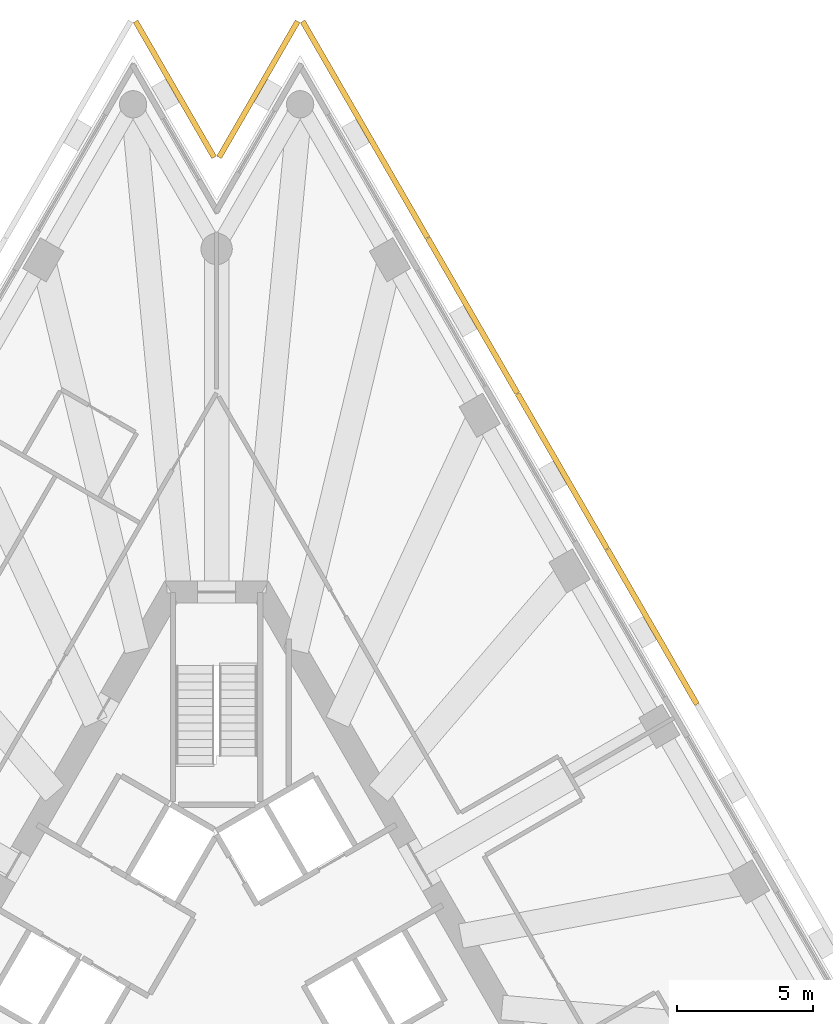
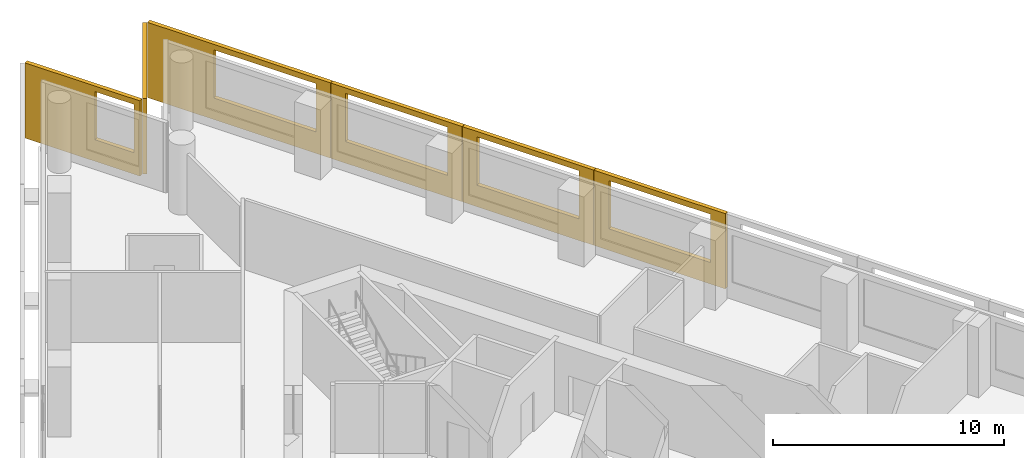
# One storey, part 10 of 10: 6 shading devices.
"""IFC4 building model written with IfcOpenShell, lengths in metres."""

from ifc_helpers import new_model, si_unit, direction, frame, origin, place, context, subcontext, project, spatial, polyline, outline, extrude, material, layer, layer_set, type_object, element, save


model = new_model("IFC4")

# Units and contexts
model_context = context("Model", 3, precision=1e-05, world=origin(), true_north=direction((0.0, 1.0)))
body_context = subcontext(model_context, "Body", "Model", "MODEL_VIEW")
ifc_project = project(units=[si_unit("LENGTHUNIT", "METRE"), si_unit("AREAUNIT", "SQUARE_METRE"), si_unit("VOLUMEUNIT", "CUBIC_METRE"), si_unit("PLANEANGLEUNIT", "RADIAN"), si_unit("MASSUNIT", "GRAM", prefix="KILO")], contexts=[model_context])

# Site, building, storey
site_placement = place(None, origin())
site = spatial("IfcSite", under=ifc_project, at=site_placement, CompositionType="ELEMENT")
building_placement = place(site_placement, origin())
building = spatial("IfcBuilding", under=site, at=building_placement, Name="Triada Interchange Tower", CompositionType="ELEMENT")
storey_placement = place(building_placement, frame((0.0, 0.0, 160.300048828125)))
storey = spatial("IfcBuildingStorey", under=building, at=storey_placement, Name="L37", CompositionType="ELEMENT", Elevation=160.300048828125)

# Shading devices
ifc_material = material(Name="Concrete C50/60 precast", Category="concrete")
ifc_layer_1 = layer(ifc_material, 0.02001953125, Name="Exposed aggregate face")
ifc_layer_2 = layer(ifc_material, 0.179931640625, Name="Precast concrete screen")
ifc_layer_set = layer_set([ifc_layer_1, ifc_layer_2], Name="Outer skin screen panel 3980")
shading_device_type = type_object("IfcShadingDeviceType", Name="Outer skin screen panel 3980", PredefinedType="SHUTTER", material=ifc_layer_set)
shading_device_1_placement = place(storey_placement, frame((17.529052734375, 10.132080078125, -0.2900390625), z_axis=(0.0, 0.0, 1.0), x_axis=(-0.500014285048, 0.866017156151, 0.0)))
element("IfcShadingDevice", 1, at=shading_device_1_placement, inside=storey, type_object=shading_device_type, Name="Outer skin screen panel L37 25", PredefinedType="SHUTTER", context=body_context, shape_type="SweptSolid", body=[
    extrude(outline(polyline([(0.0, 0.0), (6.565673828125, 0.0), (6.565673828125, 3.97998046875), (0.0, 3.97998046875), (0.0, 0.0)]), holes=[polyline([(0.733154296875, 1.139892578125), (0.733154296875, 3.68994140625), (5.8330078125, 3.68994140625), (5.8330078125, 1.139892578125), (0.733154296875, 1.139892578125)])]), frame((0.0, 0.0, 0.0), z_axis=(0.0, -1.0, 0.0), x_axis=(1.0, 0.0, 0.0)), (0.0, 0.0, 1.0), 0.199951171875),
])
for number, where, z_axis, x_axis, name in (
    (2, (14.236083984375, 15.8349609375, -0.2900390625), (0.0, 0.0, 1.0), (-0.499977771575, 0.866038236991, 0.0), "Outer skin screen panel L37 26"),
    (3, (10.943115234375, 21.5390625, -0.2900390625), (0.0, 0.0, 1.0), (-0.499977771575, 0.866038236991, 0.0), "Outer skin screen panel L37 27"),
):
    element("IfcShadingDevice", number, at=place(storey_placement, frame(where, z_axis=z_axis, x_axis=x_axis)), inside=storey, type_object=shading_device_type, Name=name, PredefinedType="SHUTTER", context=body_context, shape_type="SweptSolid", body=[
        extrude(outline(polyline([(0.0, 0.0), (6.566650390625, 0.0), (6.566650390625, 3.97998046875), (0.0, 3.97998046875), (0.0, 0.0)]), holes=[polyline([(0.733154296875, 1.139892578125), (0.733154296875, 3.68994140625), (5.8330078125, 3.68994140625), (5.8330078125, 1.139892578125), (0.733154296875, 1.139892578125)])]), frame((0.0, 0.0, 0.0), z_axis=(0.0, -1.0, 0.0), x_axis=(1.0, 0.0, 0.0)), (0.0, 0.0, 1.0), 0.199951171875),
    ])
shading_device_2_placement = place(storey_placement, frame((7.64990234375, 27.242919921875, -0.2900390625), z_axis=(0.0, 0.0, 1.0), x_axis=(-0.499993049377, 0.866029416691, 0.0)))
element("IfcShadingDevice", 4, at=shading_device_2_placement, inside=storey, type_object=shading_device_type, Name="Outer skin screen panel L37 28", PredefinedType="SHUTTER", context=body_context, shape_type="SweptSolid", body=[
    extrude(outline(polyline([(0.0, 0.0), (9.163818359375, 0.0), (9.163818359375, 3.97998046875), (0.0, 3.97998046875), (0.0, 0.0)]), holes=[polyline([(0.73291015625, 1.139892578125), (0.73291015625, 3.68994140625), (5.8330078125, 3.68994140625), (5.8330078125, 1.139892578125), (0.73291015625, 1.139892578125)])]), frame((0.0, 0.0, 0.0), z_axis=(0.0, -1.0, 0.0), x_axis=(1.0, 0.0, 0.0)), (0.0, 0.0, 1.0), 0.199951171875),
])
shading_device_3_placement = place(storey_placement, frame((3.05810546875, 35.178955078125, -0.2900390625), z_axis=(0.0, 0.0, 1.0), x_axis=(-0.50011019818, -0.865961771487, 0.0)))
element("IfcShadingDevice", 5, at=shading_device_3_placement, inside=storey, type_object=shading_device_type, Name="Outer skin screen panel L37 29", PredefinedType="SHUTTER", context=body_context, shape_type="SweptSolid", body=[
    extrude(outline(polyline([(0.0, 0.0), (5.759033203125, 0.0), (5.759033203125, 3.97998046875), (0.0, 3.97998046875), (0.0, 0.0)]), holes=[polyline([(3.175537109375, 1.139892578125), (3.175537109375, 3.68994140625), (5.45947265625, 3.68994140625), (5.45947265625, 1.139892578125), (3.175537109375, 1.139892578125)])]), frame((0.0, 0.0, 0.0), z_axis=(0.0, -1.0, 0.0), x_axis=(1.0, 0.0, 0.0)), (0.0, 0.0, 1.0), 0.199951171875),
])
shading_device_4_placement = place(storey_placement, frame((-0.177978515625, 30.19189453125, -0.2900390625), z_axis=(0.0, 0.0, 1.0), x_axis=(-0.50011019818, 0.865961771487, 0.0)))
element("IfcShadingDevice", 6, at=shading_device_4_placement, inside=storey, type_object=shading_device_type, Name="Outer skin screen panel L37 30", PredefinedType="SHUTTER", context=body_context, shape_type="SweptSolid", body=[
    extrude(outline(polyline([(0.0, 0.0), (5.759033203125, 0.0), (5.759033203125, 3.97998046875), (0.0, 3.97998046875), (0.0, 0.0)]), holes=[polyline([(0.300048828125, 1.139892578125), (0.300048828125, 3.68994140625), (2.2578125, 3.68994140625), (2.2578125, 1.139892578125), (0.300048828125, 1.139892578125)])]), frame((0.0, 0.0, 0.0), z_axis=(0.0, -1.0, 0.0), x_axis=(1.0, 0.0, 0.0)), (0.0, 0.0, 1.0), 0.199951171875),
])

save(model, "model.ifc")
